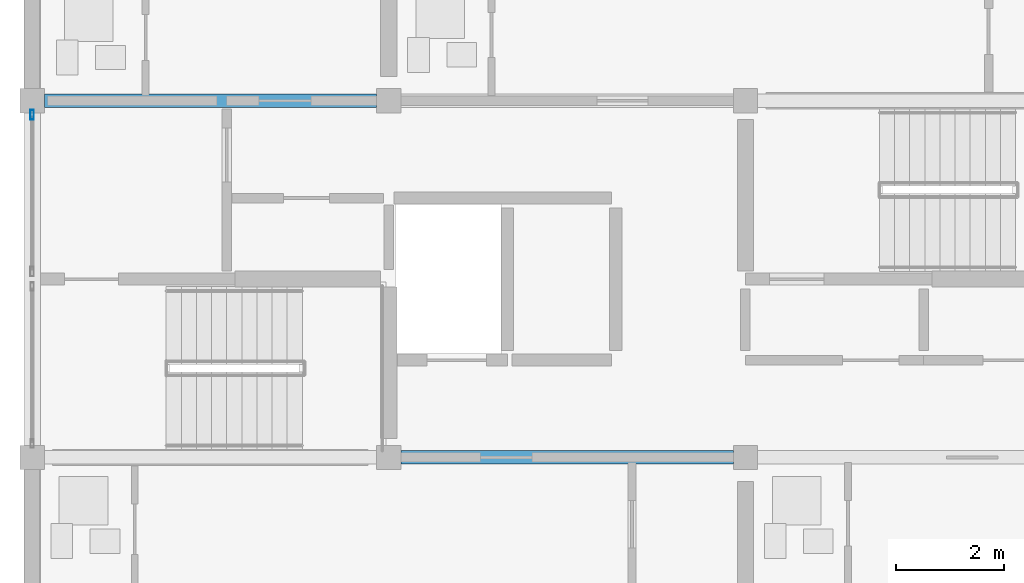
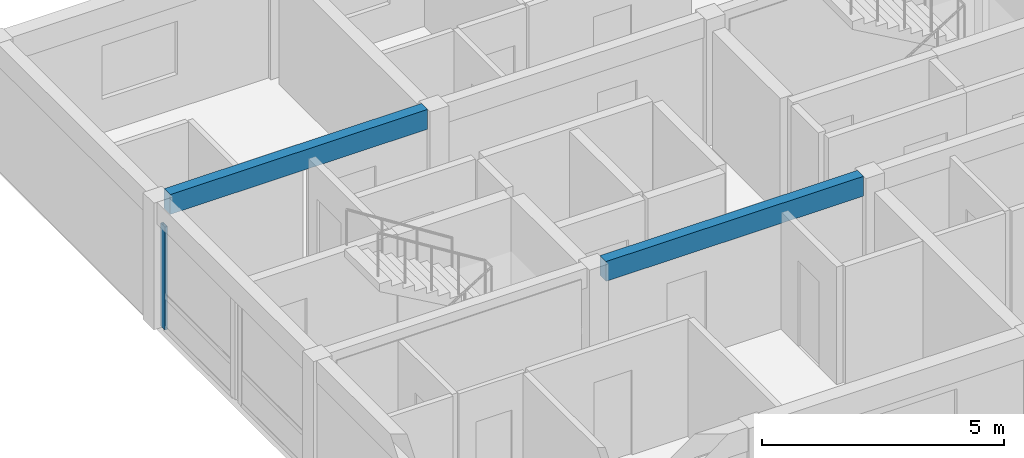
# One storey, part 9 of 34: 2 beams, 1 member, 1 element without a shape of its own.
"""IFC4 building model written with IfcOpenShell, lengths in metres."""

from ifc_helpers import new_model, si_unit, direction, frame, origin, origin_2d, place, context, subcontext, project, spatial, rectangle, hollow_rectangle, extrude, material, material_profile, profile_set, type_object, element, aggregate, save


model = new_model("IFC4")

# Units and contexts
model_context = context("Model", 3, precision=1e-05, world=origin(), true_north=direction((0.0, 1.0)))
body_context = subcontext(model_context, "Body", "Model", "MODEL_VIEW")
ifc_project = project(units=[si_unit("LENGTHUNIT", "METRE"), si_unit("AREAUNIT", "SQUARE_METRE"), si_unit("VOLUMEUNIT", "CUBIC_METRE"), si_unit("PLANEANGLEUNIT", "RADIAN"), si_unit("MASSUNIT", "GRAM", prefix="KILO")], contexts=[model_context])

# Site, building, storey
site_placement = place(None, origin())
site = spatial("IfcSite", under=ifc_project, at=site_placement, CompositionType="ELEMENT")
building_placement = place(site_placement, origin())
building = spatial("IfcBuilding", under=site, at=building_placement, Name="Kernevlak Ridge Housing Community", CompositionType="ELEMENT")
storey_placement = place(building_placement, frame((0.0, 0.0, 34.0)))
storey = spatial("IfcBuildingStorey", under=building, at=storey_placement, Name="L10", CompositionType="ELEMENT", Elevation=34.0)

# Beams
ifc_material_1 = material(Name="Concrete C35/45", Category="concrete")
ifc_material_profile_1 = material_profile(ifc_material_1, rectangle(XDim=0.25, YDim=0.5, at=origin_2d()), Name="RC 250x500")
ifc_profile_set_1 = profile_set([ifc_material_profile_1], Name="Concrete C35/45")
beam_type = type_object("IfcBeamType", Name="B-06", PredefinedType="T_BEAM", material=ifc_profile_set_1)
beam_1_placement = place(storey_placement, frame((22.425048828125, 82.60009765625, 2.949951171875), z_axis=(1.0, 0.0, 0.0), x_axis=(0.0, 1.0, 0.0)))
element("IfcBeam", 1, at=beam_1_placement, inside=storey, type_object=beam_type, Name="Beam B-06 L10 323", PredefinedType="T_BEAM", context=body_context, shape_type="SweptSolid", body=[
    extrude(rectangle(XDim=0.25, YDim=0.5, at=origin_2d()), origin(), (0.0, 0.0, 1.0), 6.14990234375),
])
beam_2_placement = place(storey_placement, frame((15.824951171875, 89.199951171875, 2.949951171875), z_axis=(1.0, 0.0, 0.0), x_axis=(0.0, 1.0, 0.0)))
element("IfcBeam", 2, at=beam_2_placement, inside=storey, type_object=beam_type, Name="Beam B-06 L10 327", PredefinedType="T_BEAM", context=body_context, shape_type="SweptSolid", body=[
    extrude(rectangle(XDim=0.25, YDim=0.5, at=origin_2d()), origin(), (0.0, 0.0, 1.0), 6.150146484375),
])

# Curtain wall, member
ifc_material_2 = material(Name="Aluminium EN AW-6060 anodised and laminated glass", Category="aluminium")
curtain_wall_type = type_object("IfcCurtainWallType", Name="CW-08", PredefinedType="NOTDEFINED", material=ifc_material_2)
curtain_wall_placement = place(storey_placement, origin())
curtain_wall = element("IfcCurtainWall", 3, at=curtain_wall_placement, inside=storey, type_object=curtain_wall_type, Name="Curtain wall CW-08 CW-L10-032", PredefinedType="NOTDEFINED")
ifc_material_3 = material(Name="Aluminium EN AW-6060 anodised", Category="aluminium")
ifc_material_profile_2 = material_profile(ifc_material_3, hollow_rectangle(XDim=0.06494140625, YDim=0.179931640625, WallThickness=0.00439453125, InnerFilletRadius=0.001953125, OuterFilletRadius=0.00439453125, at=origin_2d()), Name="ALU 65x180x4.5")
ifc_profile_set_2 = profile_set([ifc_material_profile_2], Name="Aluminium EN AW-6060 anodised")
member_type = type_object("IfcMemberType", Name="MU-03", PredefinedType="MULLION", material=ifc_profile_set_2)
member_placement = place(storey_placement, frame((15.60009765625, 88.9423828125, 0.0), z_axis=(0.0, 0.0, 1.0), x_axis=(-1.0, 0.0, 0.0)))
member = element("IfcMember", 4, at=member_placement, type_object=member_type, Name="CW-08 mullion 2", PredefinedType="MULLION", context=body_context, shape_type="SweptSolid", body=[
    extrude(hollow_rectangle(XDim=0.06494140625, YDim=0.179931640625, WallThickness=0.00439453125, InnerFilletRadius=0.001953125, OuterFilletRadius=0.00439453125, at=origin_2d()), origin(), (0.0, 0.0, 1.0), 2.60009765625),
])
aggregate(curtain_wall, [member])

save(model, "model.ifc")
